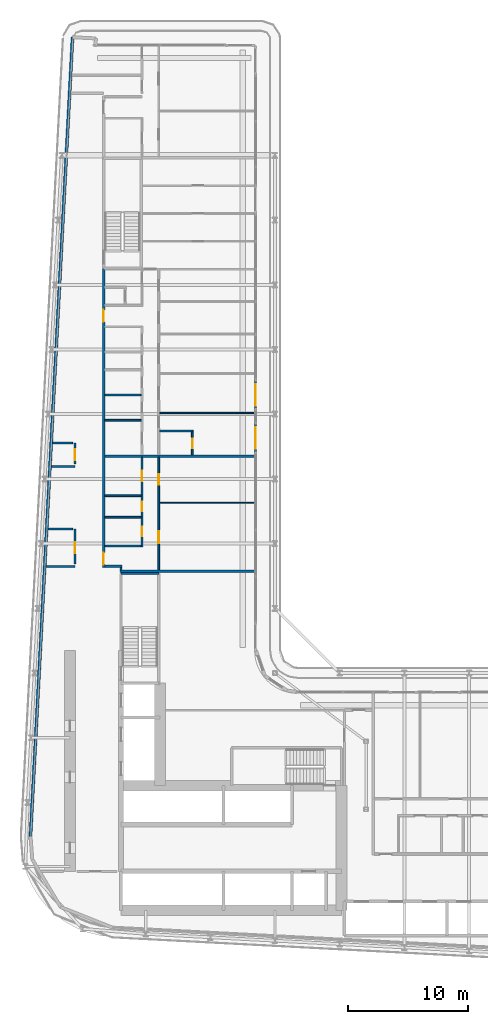
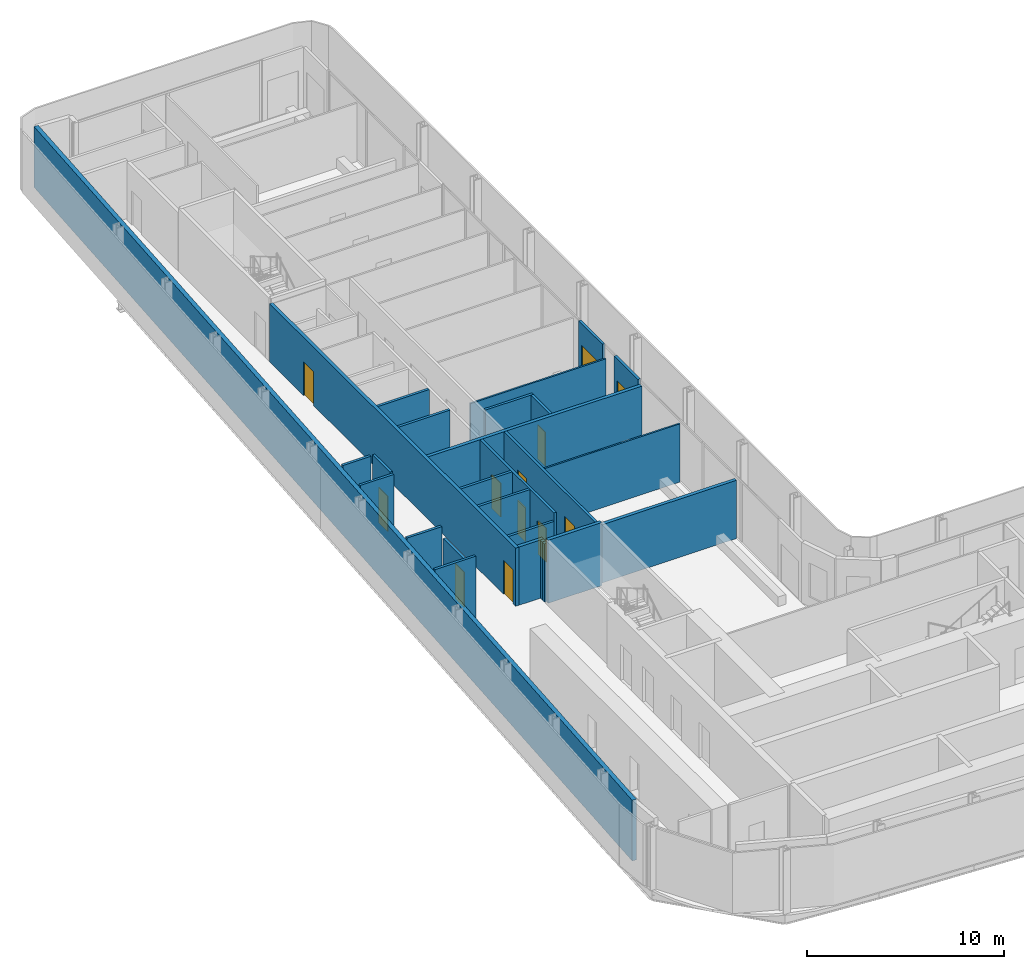
# One storey, part 17 of 28: 26 walls, 12 doors, 12 openings.
"""IFC4 building model written with IfcOpenShell, lengths in metres."""

from ifc_helpers import new_model, si_unit, direction, frame, frame_2d, origin, place, context, subcontext, project, spatial, rectangle, extrude, source, transform, mapped, material, layer, layer_set, type_object, element, fill, save


model = new_model("IFC4")

# Units and contexts
model_context = context("Model", 3, precision=1e-05, world=origin(), true_north=direction((0.0, 1.0)))
body_context = subcontext(model_context, "Body", "Model", "MODEL_VIEW")
ifc_project = project(units=[si_unit("LENGTHUNIT", "METRE"), si_unit("AREAUNIT", "SQUARE_METRE"), si_unit("VOLUMEUNIT", "CUBIC_METRE"), si_unit("PLANEANGLEUNIT", "RADIAN"), si_unit("MASSUNIT", "GRAM", prefix="KILO")], contexts=[model_context])

# Site, building, storey
site_placement = place(None, origin())
site = spatial("IfcSite", under=ifc_project, at=site_placement, CompositionType="ELEMENT")
building_placement = place(site_placement, origin())
building = spatial("IfcBuilding", under=site, at=building_placement, Name="Kheshtan School and Residences Tower", CompositionType="ELEMENT")
storey_placement = place(building_placement, frame((0.0, 0.0, 133.10009765625)))
storey = spatial("IfcBuildingStorey", under=building, at=storey_placement, Name="L31", CompositionType="ELEMENT", Elevation=133.10009765625)

# Wall, openings, doors
ifc_material_1 = material(Name="Gypsum board on steel studs with fire boards", Category="steel")
ifc_layer_1 = layer(ifc_material_1, 0.199951171875)
ifc_layer_set_1 = layer_set([ifc_layer_1], Name="Corridor wall 200")
wall_type_1 = type_object("IfcWallType", Name="Corridor wall 200", PredefinedType="PARTITIONING", material=ifc_layer_set_1)
wall_1_placement = place(storey_placement, frame((33.300048828125, 54.39990234375, 0.0), z_axis=(0.0, 0.0, 1.0), x_axis=(0.0, 1.0, 0.0)))
wall_1 = element("IfcWall", 1, at=wall_1_placement, inside=storey, type_object=wall_type_1, Name="Partition L31-003", PredefinedType="PARTITIONING", context=body_context, shape_type="SweptSolid", body=[
    extrude(rectangle(XDim=24.9501953125, YDim=0.199951171875, at=frame_2d((12.47509765625, 0.0))), origin(), (0.0, 0.0, 1.0), 3.599853515625),
])
opening_1_placement = place(wall_1_placement, frame((0.25, 0.0, 0.0)))
opening_1 = element("IfcOpeningElement", 2, at=opening_1_placement, cuts=wall_1, Name="Opening D29-035", PredefinedType="OPENING", context=body_context, shape_type="SweptSolid", body=[
    extrude(rectangle(XDim=1.0, YDim=2.10009765625, at=frame_2d((0.5, 1.050048828125))), frame((0.0, 0.10986328125, 0.0), z_axis=(0.0, -1.0, 0.0), x_axis=(1.0, 0.0, 0.0)), (0.0, 0.0, 1.0), 0.219970703125),
])
opening_2_placement = place(wall_1_placement, frame((20.5, 0.0, 0.0)))
opening_2 = element("IfcOpeningElement", 3, at=opening_2_placement, cuts=wall_1, Name="Opening D29-045", PredefinedType="OPENING", context=body_context, shape_type="SweptSolid", body=[
    extrude(rectangle(XDim=1.0, YDim=2.10009765625, at=frame_2d((0.5, 1.050048828125))), frame((0.0, 0.10986328125, 0.0), z_axis=(0.0, -1.0, 0.0), x_axis=(1.0, 0.0, 0.0)), (0.0, 0.0, 1.0), 0.219970703125),
])
ifc_material_2 = material(Name="Steel-framed fire-resisting door leaf", Category="steel")
door_type_1 = type_object("IfcDoorType", Name="Fire door FD30S 1000 x 2100", OperationType="SINGLE_SWING_LEFT", PredefinedType="DOOR", material=ifc_material_2)
shared_shape_1 = source(origin(), body_context, "Body", "SweptSolid", [
    extrude(rectangle(XDim=1.0, YDim=2.10009765625, at=frame_2d((0.5, 1.050048828125))), frame((0.0, 0.02490234375, 0.0), z_axis=(0.0, -1.0, 0.0), x_axis=(1.0, 0.0, 0.0)), (0.0, 0.0, 1.0), 0.050048828125),
])
door_1_placement = place(opening_1_placement, origin())
door_1 = element("IfcDoor", 4, at=door_1_placement, inside=storey, type_object=door_type_1, Name="Door D29-035", OperationType="SINGLE_SWING_RIGHT", OverallHeight=2.10009765625, OverallWidth=1.0, PredefinedType="DOOR", context=body_context, shape_type="MappedRepresentation", body=[
    mapped(shared_shape_1, transform((0.0, 0.0, 0.0), x_axis=(1.0, 0.0, 0.0), y_axis=(0.0, 1.0, 0.0), z_axis=(0.0, 0.0, 1.0), scale=1.0)),
])
fill(opening_1, door_1)
door_2_placement = place(opening_2_placement, origin())
door_2 = element("IfcDoor", 5, at=door_2_placement, inside=storey, type_object=door_type_1, Name="Door D29-045", OperationType="SINGLE_SWING_RIGHT", OverallHeight=2.10009765625, OverallWidth=1.0, PredefinedType="DOOR", context=body_context, shape_type="MappedRepresentation", body=[
    mapped(shared_shape_1, transform((0.0, 0.0, 0.0), x_axis=(1.0, 0.0, 0.0), y_axis=(0.0, 1.0, 0.0), z_axis=(0.0, 0.0, 1.0), scale=1.0)),
])
fill(opening_2, door_2)

# Walls
wall_2_placement = place(storey_placement, frame((33.39990234375, 54.5, 0.0), z_axis=(0.0, 0.0, 1.0), x_axis=(1.0, 0.0, 0.0)))
element("IfcWall", 6, at=wall_2_placement, inside=storey, type_object=wall_type_1, Name="Partition L31-005", PredefinedType="PARTITIONING", context=body_context, shape_type="SweptSolid", body=[
    extrude(rectangle(XDim=1.4501953125, YDim=0.199951171875, at=frame_2d((0.72509765625, 0.0))), origin(), (0.0, 0.0, 1.0), 3.599853515625),
])
wall_3_placement = place(storey_placement, frame((34.75, 54.199951171875, 0.0), z_axis=(0.0, 0.0, 1.0), x_axis=(0.0, 1.0, 0.0)))
element("IfcWall", 7, at=wall_3_placement, inside=storey, type_object=wall_type_1, Name="Partition L31-021", PredefinedType="PARTITIONING", context=body_context, shape_type="SweptSolid", body=[
    extrude(rectangle(XDim=0.199951171875, YDim=0.199951171875, at=frame_2d((0.10009765625, 0.0))), origin(), (0.0, 0.0, 1.0), 3.599853515625),
])
ifc_material_3 = material(Name="Concrete C40/50 with ceramic cladding and mineral wool insulation", Category="concrete")
ifc_layer_2 = layer(ifc_material_3, 0.25)
ifc_layer_set_2 = layer_set([ifc_layer_2], Name="External wall 250 ceramic clad")
wall_type_2 = type_object("IfcWallType", Name="External wall 250 ceramic clad", PredefinedType="SOLIDWALL", material=ifc_layer_set_2)
wall_4_placement = place(storey_placement, frame((27.195068359375, 31.968994140625, 0.0), z_axis=(0.0, 0.0, 1.0), x_axis=(0.052554995867, 0.998618031286, 0.0)))
element("IfcWall", 8, at=wall_4_placement, inside=storey, type_object=wall_type_2, Name="External wall L31 4", PredefinedType="SOLIDWALL", context=body_context, shape_type="SweptSolid", body=[
    extrude(rectangle(XDim=66.787353515625, YDim=0.25, at=frame_2d((33.3935546875, 0.0))), origin(), (0.0, 0.0, 1.0), 3.75),
])

# Wall, opening, door
ifc_material_4 = material(Name="Aluminium frame wall with insulated infill", Category="aluminium")
ifc_layer_3 = layer(ifc_material_4, 0.14990234375)
ifc_layer_set_3 = layer_set([ifc_layer_3], Name="Glazing frame wall 150")
wall_type_3 = type_object("IfcWallType", Name="Glazing frame wall 150", PredefinedType="SOLIDWALL", material=ifc_layer_set_3)
wall_5_placement = place(storey_placement, frame((45.97509765625, 70.01806640625, 0.0), z_axis=(0.0, 0.0, 1.0), x_axis=(0.0, -1.0, 0.0)))
wall_5 = element("IfcWall", 9, at=wall_5_placement, inside=storey, type_object=wall_type_3, Name="Balcony door wall L31 8.3", PredefinedType="SOLIDWALL", context=body_context, shape_type="SweptSolid", body=[
    extrude(rectangle(XDim=2.400146484375, YDim=0.14990234375, at=frame_2d((1.2001953125, 0.0))), origin(), (0.0, 0.0, 1.0), 3.75),
])
opening_3_placement = place(wall_5_placement, frame((0.300048828125, 0.0, 0.0)))
opening_3 = element("IfcOpeningElement", 10, at=opening_3_placement, cuts=wall_5, Name="Opening BD", PredefinedType="OPENING", context=body_context, shape_type="SweptSolid", body=[
    extrude(rectangle(XDim=1.800048828125, YDim=2.39990234375, at=frame_2d((0.89990234375, 1.199951171875))), frame((0.0, 0.0849609375, 0.0), z_axis=(0.0, -1.0, 0.0), x_axis=(1.0, 0.0, 0.0)), (0.0, 0.0, 1.0), 0.169921875),
])
ifc_material_5 = material(Name="Clear low-e glass in thermally broken aluminium frame", Category="aluminium")
door_type_2 = type_object("IfcDoorType", Name="Balcony sliding door", OperationType="SLIDING_TO_LEFT", PredefinedType="DOOR", material=ifc_material_5)
shared_shape_2 = source(origin(), body_context, "Body", "SweptSolid", [
    extrude(rectangle(XDim=1.800048828125, YDim=2.39990234375, at=frame_2d((0.89990234375, 1.199951171875))), frame((0.0, 0.02490234375, 0.0), z_axis=(0.0, -1.0, 0.0), x_axis=(1.0, 0.0, 0.0)), (0.0, 0.0, 1.0), 0.050048828125),
])
door_3_placement = place(opening_3_placement, origin())
door_3 = element("IfcDoor", 11, at=door_3_placement, inside=storey, type_object=door_type_2, Name="Balcony door L31 8.3", OperationType="SLIDING_TO_LEFT", OverallHeight=2.39990234375, OverallWidth=1.800048828125, PredefinedType="DOOR", context=body_context, shape_type="MappedRepresentation", body=[
    mapped(shared_shape_2, transform((0.0, 0.0, 0.0), x_axis=(1.0, 0.0, 0.0), y_axis=(0.0, 1.0, 0.0), z_axis=(0.0, 0.0, 1.0), scale=1.0)),
])
fill(opening_3, door_3)

wall_6_placement = place(storey_placement, frame((45.97509765625, 66.41796875, 0.0), z_axis=(0.0, 0.0, 1.0), x_axis=(0.0, -1.0, 0.0)))
wall_6 = element("IfcWall", 12, at=wall_6_placement, inside=storey, type_object=wall_type_3, Name="Balcony door wall L31 8.4", PredefinedType="SOLIDWALL", context=body_context, shape_type="SweptSolid", body=[
    extrude(rectangle(XDim=2.39990234375, YDim=0.14990234375, at=frame_2d((1.199951171875, 0.0))), origin(), (0.0, 0.0, 1.0), 3.75),
])
opening_4_placement = place(wall_6_placement, frame((0.300048828125, 0.0, 0.0)))
opening_4 = element("IfcOpeningElement", 13, at=opening_4_placement, cuts=wall_6, Name="Opening BD", PredefinedType="OPENING", context=body_context, shape_type="SweptSolid", body=[
    extrude(rectangle(XDim=1.800048828125, YDim=2.39990234375, at=frame_2d((0.89990234375, 1.199951171875))), frame((0.0, 0.0849609375, 0.0), z_axis=(0.0, -1.0, 0.0), x_axis=(1.0, 0.0, 0.0)), (0.0, 0.0, 1.0), 0.169921875),
])
door_4_placement = place(opening_4_placement, origin())
door_4 = element("IfcDoor", 14, at=door_4_placement, inside=storey, type_object=door_type_2, Name="Balcony door L31 8.4", OperationType="SLIDING_TO_LEFT", OverallHeight=2.39990234375, OverallWidth=1.800048828125, PredefinedType="DOOR", context=body_context, shape_type="MappedRepresentation", body=[
    mapped(shared_shape_2, transform((0.0, 0.0, 0.0), x_axis=(1.0, 0.0, 0.0), y_axis=(0.0, 1.0, 0.0), z_axis=(0.0, 0.0, 1.0), scale=1.0)),
])
fill(opening_4, door_4)

# Walls
ifc_material_6 = material(Name="Gypsum board on steel studs", Category="steel")
ifc_layer_4 = layer(ifc_material_6, 0.10009765625)
ifc_layer_set_4 = layer_set([ifc_layer_4], Name="Gypsum partition 100")
wall_type_4 = type_object("IfcWallType", Name="Gypsum partition 100", PredefinedType="PARTITIONING", material=ifc_layer_set_4)
wall_7_placement = place(storey_placement, frame((37.97509765625, 59.800048828125, 0.0), z_axis=(0.0, 0.0, 1.0), x_axis=(1.0, 0.0, 0.0)))
element("IfcWall", 15, at=wall_7_placement, inside=storey, type_object=wall_type_4, Name="Partition L31-036", PredefinedType="PARTITIONING", context=body_context, shape_type="SweptSolid", body=[
    extrude(rectangle(XDim=7.9248046875, YDim=0.10009765625, at=frame_2d((3.96240234375, 0.0))), origin(), (0.0, 0.0, 1.0), 3.599853515625),
])
wall_8_placement = place(storey_placement, frame((37.97509765625, 67.300048828125, 0.0), z_axis=(0.0, 0.0, 1.0), x_axis=(1.0, 0.0, 0.0)))
element("IfcWall", 16, at=wall_8_placement, inside=storey, type_object=wall_type_4, Name="Partition L31-038", PredefinedType="PARTITIONING", context=body_context, shape_type="SweptSolid", body=[
    extrude(rectangle(XDim=7.9248046875, YDim=0.10009765625, at=frame_2d((3.96240234375, 0.0))), origin(), (0.0, 0.0, 1.0), 3.072021484375),
])
ifc_material_7 = material(Name="Fire-board shaft wall system")
ifc_layer_5 = layer(ifc_material_7, 0.14990234375)
ifc_layer_set_5 = layer_set([ifc_layer_5], Name="Service room wall 150")
wall_type_5 = type_object("IfcWallType", Name="Service room wall 150", PredefinedType="PARTITIONING", material=ifc_layer_set_5)
wall_9_placement = place(storey_placement, frame((28.508056640625, 54.5, 0.0), z_axis=(0.0, 0.0, 1.0), x_axis=(1.0, 0.0, 0.0)))
element("IfcWall", 17, at=wall_9_placement, inside=storey, type_object=wall_type_5, Name="Service room wall", PredefinedType="PARTITIONING", context=body_context, shape_type="SweptSolid", body=[
    extrude(rectangle(XDim=2.391845703125, YDim=0.14990234375, at=frame_2d((1.19580078125, 0.0))), origin(), (0.0, 0.0, 1.0), 3.89990234375),
])

# Wall, opening, door
wall_10_placement = place(storey_placement, frame((30.89990234375, 54.695068359375, 0.0), z_axis=(0.0, 0.0, 1.0), x_axis=(0.0, 1.0, 0.0)))
wall_10 = element("IfcWall", 18, at=wall_10_placement, inside=storey, type_object=wall_type_5, Name="Service room wall", PredefinedType="PARTITIONING", context=body_context, shape_type="SweptSolid", body=[
    extrude(rectangle(XDim=2.930908203125, YDim=0.14990234375, at=frame_2d((1.46533203125, 0.0))), origin(), (0.0, 0.0, 1.0), 3.072021484375),
])
opening_5_placement = place(wall_10_placement, frame((0.91796875, 0.0, 0.0)))
opening_5 = element("IfcOpeningElement", 19, at=opening_5_placement, cuts=wall_10, Name="Opening SR90", PredefinedType="OPENING", context=body_context, shape_type="SweptSolid", body=[
    extrude(rectangle(XDim=0.89990234375, YDim=2.199951171875, at=frame_2d((0.449951171875, 1.10009765625))), frame((0.0, 0.0849609375, 0.0), z_axis=(0.0, -1.0, 0.0), x_axis=(1.0, 0.0, 0.0)), (0.0, 0.0, 1.0), 0.169921875),
])
ifc_material_8 = material(Name="Steel door leaf, galvanised", Category="steel")
door_type_3 = type_object("IfcDoorType", Name="Service room door 900 steel 90 min", OperationType="SINGLE_SWING_LEFT", PredefinedType="DOOR", material=ifc_material_8)
shared_shape_3 = source(origin(), body_context, "Body", "SweptSolid", [
    extrude(rectangle(XDim=0.89990234375, YDim=2.199951171875, at=frame_2d((0.449951171875, 1.10009765625))), frame((0.0, 0.02490234375, 0.0), z_axis=(0.0, -1.0, 0.0), x_axis=(1.0, 0.0, 0.0)), (0.0, 0.0, 1.0), 0.050048828125),
])
door_5_placement = place(opening_5_placement, origin())
door_5 = element("IfcDoor", 20, at=door_5_placement, inside=storey, type_object=door_type_3, Name="Service room door", OperationType="SINGLE_SWING_LEFT", OverallHeight=2.199951171875, OverallWidth=0.89990234375, PredefinedType="DOOR", context=body_context, shape_type="MappedRepresentation", body=[
    mapped(shared_shape_3, transform((0.0, 0.0, 0.0), x_axis=(1.0, 0.0, 0.0), y_axis=(0.0, 1.0, 0.0), z_axis=(0.0, 0.0, 1.0), scale=1.0)),
])
fill(opening_5, door_5)

# Walls
wall_11_placement = place(storey_placement, frame((28.673095703125, 57.6259765625, 0.0), z_axis=(0.0, 0.0, 1.0), x_axis=(1.0, 0.0, 0.0)))
element("IfcWall", 21, at=wall_11_placement, inside=storey, type_object=wall_type_5, Name="Service room wall", PredefinedType="PARTITIONING", context=body_context, shape_type="SweptSolid", body=[
    extrude(rectangle(XDim=2.031982421875, YDim=0.14990234375, at=frame_2d((1.01611328125, 0.0))), origin(), (0.0, 0.0, 1.0), 3.89990234375),
])
wall_12_placement = place(storey_placement, frame((28.947021484375, 62.8330078125, 0.0), z_axis=(0.0, 0.0, 1.0), x_axis=(1.0, 0.0, 0.0)))
element("IfcWall", 22, at=wall_12_placement, inside=storey, type_object=wall_type_5, Name="Service room wall", PredefinedType="PARTITIONING", context=body_context, shape_type="SweptSolid", body=[
    extrude(rectangle(XDim=1.952880859375, YDim=0.14990234375, at=frame_2d((0.9765625, 0.0))), origin(), (0.0, 0.0, 1.0), 3.89990234375),
])

# Wall, opening, door
wall_13_placement = place(storey_placement, frame((30.89990234375, 63.028076171875, 0.0), z_axis=(0.0, 0.0, 1.0), x_axis=(0.0, 1.0, 0.0)))
wall_13 = element("IfcWall", 23, at=wall_13_placement, inside=storey, type_object=wall_type_5, Name="Service room wall", PredefinedType="PARTITIONING", context=body_context, shape_type="SweptSolid", body=[
    extrude(rectangle(XDim=1.77197265625, YDim=0.14990234375, at=frame_2d((0.885986328125, 0.0))), origin(), (0.0, 0.0, 1.0), 3.89990234375),
])
opening_6_placement = place(wall_13_placement, frame((0.337890625, 0.0, 0.0)))
opening_6 = element("IfcOpeningElement", 24, at=opening_6_placement, cuts=wall_13, Name="Opening SR90", PredefinedType="OPENING", context=body_context, shape_type="SweptSolid", body=[
    extrude(rectangle(XDim=0.89990234375, YDim=2.199951171875, at=frame_2d((0.449951171875, 1.10009765625))), frame((0.0, 0.0849609375, 0.0), z_axis=(0.0, -1.0, 0.0), x_axis=(1.0, 0.0, 0.0)), (0.0, 0.0, 1.0), 0.169921875),
])
door_6_placement = place(opening_6_placement, origin())
door_6 = element("IfcDoor", 25, at=door_6_placement, inside=storey, type_object=door_type_3, Name="Service room door", OperationType="SINGLE_SWING_LEFT", OverallHeight=2.199951171875, OverallWidth=0.89990234375, PredefinedType="DOOR", context=body_context, shape_type="MappedRepresentation", body=[
    mapped(shared_shape_3, transform((0.0, 0.0, 0.0), x_axis=(1.0, 0.0, 0.0), y_axis=(0.0, 1.0, 0.0), z_axis=(0.0, 0.0, 1.0), scale=1.0)),
])
fill(opening_6, door_6)

# Walls
wall_14_placement = place(storey_placement, frame((29.050048828125, 64.800048828125, 0.0), z_axis=(0.0, 0.0, 1.0), x_axis=(1.0, 0.0, 0.0)))
element("IfcWall", 26, at=wall_14_placement, inside=storey, type_object=wall_type_5, Name="Service room wall", PredefinedType="PARTITIONING", context=body_context, shape_type="SweptSolid", body=[
    extrude(rectangle(XDim=1.655029296875, YDim=0.14990234375, at=frame_2d((0.82763671875, 0.0))), origin(), (0.0, 0.0, 1.0), 3.89990234375),
])
ifc_material_9 = material(Name="Concrete C40/50", Category="concrete")
ifc_layer_6 = layer(ifc_material_9, 0.199951171875)
ifc_layer_set_6 = layer_set([ifc_layer_6], Name="Stair enclosure wall 200 Concrete C40/50")
wall_type_6 = type_object("IfcWallType", Name="Stair enclosure wall 200 Concrete C40/50", PredefinedType="SHEAR", material=ifc_layer_set_6)
wall_15_placement = place(storey_placement, frame((34.75, 53.909912109375, 0.0), z_axis=(0.0, 0.0, 1.0), x_axis=(1.0, 0.0, 0.0)))
element("IfcWall", 27, at=wall_15_placement, inside=storey, type_object=wall_type_6, Name="Stair enclosure wall ST2", PredefinedType="SHEAR", context=body_context, shape_type="SweptSolid", body=[
    extrude(rectangle(XDim=3.14990234375, YDim=0.199951171875, at=frame_2d((1.574951171875, 0.0))), origin(), (0.0, 0.0, 1.0), 3.89990234375),
])
ifc_material_10 = material(Name="Twin gypsum board on steel studs with mineral wool", Category="steel")
ifc_layer_7 = layer(ifc_material_10, 0.199951171875)
ifc_layer_set_7 = layer_set([ifc_layer_7], Name="Unit demising wall 200")
wall_type_7 = type_object("IfcWallType", Name="Unit demising wall 200", PredefinedType="PARTITIONING", material=ifc_layer_set_7)
wall_16_placement = place(storey_placement, frame((33.39990234375, 63.699951171875, 0.0), z_axis=(0.0, 0.0, 1.0), x_axis=(1.0, 0.0, 0.0)))
element("IfcWall", 28, at=wall_16_placement, inside=storey, type_object=wall_type_7, Name="Partition L31-009", PredefinedType="PARTITIONING", context=body_context, shape_type="SweptSolid", body=[
    extrude(rectangle(XDim=12.5, YDim=0.199951171875, at=frame_2d((6.25, 0.0))), origin(), (0.0, 0.0, 1.0), 3.599853515625),
])
wall_17_placement = place(storey_placement, frame((34.64990234375, 54.10009765625, 0.0), z_axis=(0.0, 0.0, 1.0), x_axis=(1.0, 0.0, 0.0)))
element("IfcWall", 29, at=wall_17_placement, inside=storey, type_object=wall_type_7, Name="Partition L31-020", PredefinedType="PARTITIONING", context=body_context, shape_type="SweptSolid", body=[
    extrude(rectangle(XDim=11.25, YDim=0.199951171875, at=frame_2d((5.625, 0.0))), origin(), (0.0, 0.0, 1.0), 3.599853515625),
])
ifc_material_11 = material(Name="Moisture-resistant gypsum board on steel studs", Category="steel")
ifc_layer_8 = layer(ifc_material_11, 0.14990234375)
ifc_layer_set_8 = layer_set([ifc_layer_8], Name="Wet-room partition 150")
wall_type_8 = type_object("IfcWallType", Name="Wet-room partition 150", PredefinedType="PARTITIONING", material=ifc_layer_set_8)
wall_18_placement = place(storey_placement, frame((33.39990234375, 56.199951171875, 0.0), z_axis=(0.0, 0.0, 1.0), x_axis=(1.0, 0.0, 0.0)))
element("IfcWall", 30, at=wall_18_placement, inside=storey, type_object=wall_type_8, Name="Partition L31-006", PredefinedType="PARTITIONING", context=body_context, shape_type="SweptSolid", body=[
    extrude(rectangle(XDim=3.025146484375, YDim=0.14990234375, at=frame_2d((1.5126953125, 0.0))), origin(), (0.0, 0.0, 1.0), 3.072021484375),
])
for number, where, z_axis, x_axis, name in (
    (31, (33.39990234375, 58.60009765625, 0.0), (0.0, 0.0, 1.0), (1.0, 0.0, 0.0), "Partition L31-007"),
    (32, (33.39990234375, 60.39990234375, 0.0), (0.0, 0.0, 1.0), (1.0, 0.0, 0.0), "Partition L31-008"),
    (33, (33.39990234375, 66.699951171875, 0.0), (0.0, 0.0, 1.0), (1.0, 0.0, 0.0), "Partition L31-010"),
    (34, (33.39990234375, 68.800048828125, 0.0), (0.0, 0.0, 1.0), (1.0, 0.0, 0.0), "Partition L31-011"),
):
    element("IfcWall", number, at=place(storey_placement, frame(where, z_axis=z_axis, x_axis=x_axis)), inside=storey, type_object=wall_type_8, Name=name, PredefinedType="PARTITIONING", context=body_context, shape_type="SweptSolid", body=[
        extrude(rectangle(XDim=3.025146484375, YDim=0.14990234375, at=frame_2d((1.5126953125, 0.0))), origin(), (0.0, 0.0, 1.0), 3.599853515625),
    ])

# Wall, openings, doors
wall_19_placement = place(storey_placement, frame((36.5, 56.125, 0.0), z_axis=(0.0, 0.0, 1.0), x_axis=(0.0, 1.0, 0.0)))
wall_19 = element("IfcWall", 35, at=wall_19_placement, inside=storey, type_object=wall_type_8, Name="Partition L31-024", PredefinedType="PARTITIONING", context=body_context, shape_type="SweptSolid", body=[
    extrude(rectangle(XDim=7.47509765625, YDim=0.14990234375, at=frame_2d((3.737548828125, 0.0))), origin(), (0.0, 0.0, 1.0), 3.599853515625),
])
opening_7_placement = place(wall_19_placement, frame((0.875, 0.0, 0.0)))
opening_7 = element("IfcOpeningElement", 36, at=opening_7_placement, cuts=wall_19, Name="Opening D29-033", PredefinedType="OPENING", context=body_context, shape_type="SweptSolid", body=[
    extrude(rectangle(XDim=0.800048828125, YDim=2.10009765625, at=frame_2d((0.39990234375, 1.050048828125))), frame((0.0, 0.0849609375, 0.0), z_axis=(0.0, -1.0, 0.0), x_axis=(1.0, 0.0, 0.0)), (0.0, 0.0, 1.0), 0.169921875),
])
opening_8_placement = place(wall_19_placement, frame((5.47509765625, 0.0, 0.0)))
opening_8 = element("IfcOpeningElement", 37, at=opening_8_placement, cuts=wall_19, Name="Opening D29-036", PredefinedType="OPENING", context=body_context, shape_type="SweptSolid", body=[
    extrude(rectangle(XDim=0.89990234375, YDim=2.10009765625, at=frame_2d((0.449951171875, 1.050048828125))), frame((0.0, 0.0849609375, 0.0), z_axis=(0.0, -1.0, 0.0), x_axis=(1.0, 0.0, 0.0)), (0.0, 0.0, 1.0), 0.169921875),
])
opening_9_placement = place(wall_19_placement, frame((2.97509765625, 0.0, 0.0)))
opening_9 = element("IfcOpeningElement", 38, at=opening_9_placement, cuts=wall_19, Name="Opening D29-038", PredefinedType="OPENING", context=body_context, shape_type="SweptSolid", body=[
    extrude(rectangle(XDim=0.800048828125, YDim=2.10009765625, at=frame_2d((0.39990234375, 1.050048828125))), frame((0.0, 0.0849609375, 0.0), z_axis=(0.0, -1.0, 0.0), x_axis=(1.0, 0.0, 0.0)), (0.0, 0.0, 1.0), 0.169921875),
])
ifc_material_12 = material(Name="Veneered timber door leaf", Category="wood")
door_type_4 = type_object("IfcDoorType", Name="Door 800 x 2100", OperationType="SINGLE_SWING_LEFT", PredefinedType="DOOR", material=ifc_material_12)
shared_shape_4 = source(origin(), body_context, "Body", "SweptSolid", [
    extrude(rectangle(XDim=0.800048828125, YDim=2.10009765625, at=frame_2d((0.39990234375, 1.050048828125))), frame((0.0, 0.02490234375, 0.0), z_axis=(0.0, -1.0, 0.0), x_axis=(1.0, 0.0, 0.0)), (0.0, 0.0, 1.0), 0.050048828125),
])
door_7_placement = place(opening_7_placement, origin())
door_7 = element("IfcDoor", 39, at=door_7_placement, inside=storey, type_object=door_type_4, Name="Door D29-033", OperationType="SINGLE_SWING_LEFT", OverallHeight=2.10009765625, OverallWidth=0.800048828125, PredefinedType="DOOR", context=body_context, shape_type="MappedRepresentation", body=[
    mapped(shared_shape_4, transform((0.0, 0.0, 0.0), x_axis=(1.0, 0.0, 0.0), y_axis=(0.0, 1.0, 0.0), z_axis=(0.0, 0.0, 1.0), scale=1.0)),
])
fill(opening_7, door_7)
door_8_placement = place(opening_9_placement, origin())
door_8 = element("IfcDoor", 40, at=door_8_placement, inside=storey, type_object=door_type_4, Name="Door D29-038", OperationType="SINGLE_SWING_RIGHT", OverallHeight=2.10009765625, OverallWidth=0.800048828125, PredefinedType="DOOR", context=body_context, shape_type="MappedRepresentation", body=[
    mapped(shared_shape_4, transform((0.0, 0.0, 0.0), x_axis=(1.0, 0.0, 0.0), y_axis=(0.0, 1.0, 0.0), z_axis=(0.0, 0.0, 1.0), scale=1.0)),
])
fill(opening_9, door_8)
door_type_5 = type_object("IfcDoorType", Name="Door 900 x 2100", OperationType="SINGLE_SWING_LEFT", PredefinedType="DOOR", material=ifc_material_12)
shared_shape_5 = source(origin(), body_context, "Body", "SweptSolid", [
    extrude(rectangle(XDim=0.89990234375, YDim=2.10009765625, at=frame_2d((0.449951171875, 1.050048828125))), frame((0.0, 0.02490234375, 0.0), z_axis=(0.0, -1.0, 0.0), x_axis=(1.0, 0.0, 0.0)), (0.0, 0.0, 1.0), 0.050048828125),
])
door_9_placement = place(opening_8_placement, origin())
door_9 = element("IfcDoor", 41, at=door_9_placement, inside=storey, type_object=door_type_5, Name="Door D29-036", OperationType="SINGLE_SWING_LEFT", OverallHeight=2.10009765625, OverallWidth=0.89990234375, PredefinedType="DOOR", context=body_context, shape_type="MappedRepresentation", body=[
    mapped(shared_shape_5, transform((0.0, 0.0, 0.0), x_axis=(1.0, 0.0, 0.0), y_axis=(0.0, 1.0, 0.0), z_axis=(0.0, 0.0, 1.0), scale=1.0)),
])
fill(opening_8, door_9)

wall_20_placement = place(storey_placement, frame((37.89990234375, 54.199951171875, 0.0), z_axis=(0.0, 0.0, 1.0), x_axis=(0.0, 1.0, 0.0)))
wall_20 = element("IfcWall", 42, at=wall_20_placement, inside=storey, type_object=wall_type_8, Name="Partition L31-032", PredefinedType="PARTITIONING", context=body_context, shape_type="SweptSolid", body=[
    extrude(rectangle(XDim=9.400146484375, YDim=0.14990234375, at=frame_2d((4.7001953125, 0.0))), origin(), (0.0, 0.0, 1.0), 3.599853515625),
])
opening_10_placement = place(wall_20_placement, frame((7.10009765625, 0.0, 0.0)))
opening_10 = element("IfcOpeningElement", 43, at=opening_10_placement, cuts=wall_20, Name="Opening D29-034", PredefinedType="OPENING", context=body_context, shape_type="SweptSolid", body=[
    extrude(rectangle(XDim=0.89990234375, YDim=2.10009765625, at=frame_2d((0.449951171875, 1.050048828125))), frame((0.0, 0.0849609375, 0.0), z_axis=(0.0, -1.0, 0.0), x_axis=(1.0, 0.0, 0.0)), (0.0, 0.0, 1.0), 0.169921875),
])
opening_11_placement = place(wall_20_placement, frame((2.25, 0.0, 0.0)))
opening_11 = element("IfcOpeningElement", 44, at=opening_11_placement, cuts=wall_20, Name="Opening D29-037", PredefinedType="OPENING", context=body_context, shape_type="SweptSolid", body=[
    extrude(rectangle(XDim=1.0, YDim=2.10009765625, at=frame_2d((0.5, 1.050048828125))), frame((0.0, 0.0849609375, 0.0), z_axis=(0.0, -1.0, 0.0), x_axis=(1.0, 0.0, 0.0)), (0.0, 0.0, 1.0), 0.169921875),
])
door_type_6 = type_object("IfcDoorType", Name="Door 1000 x 2100", OperationType="SINGLE_SWING_LEFT", PredefinedType="DOOR", material=ifc_material_12)
shared_shape_6 = source(origin(), body_context, "Body", "SweptSolid", [
    extrude(rectangle(XDim=1.0, YDim=2.10009765625, at=frame_2d((0.5, 1.050048828125))), frame((0.0, 0.02490234375, 0.0), z_axis=(0.0, -1.0, 0.0), x_axis=(1.0, 0.0, 0.0)), (0.0, 0.0, 1.0), 0.050048828125),
])
door_10_placement = place(opening_11_placement, origin())
door_10 = element("IfcDoor", 45, at=door_10_placement, inside=storey, type_object=door_type_6, Name="Door D29-037", OperationType="SINGLE_SWING_RIGHT", OverallHeight=2.10009765625, OverallWidth=1.0, PredefinedType="DOOR", context=body_context, shape_type="MappedRepresentation", body=[
    mapped(shared_shape_6, transform((0.0, 0.0, 0.0), x_axis=(1.0, 0.0, 0.0), y_axis=(0.0, 1.0, 0.0), z_axis=(0.0, 0.0, 1.0), scale=1.0)),
])
fill(opening_11, door_10)
door_11_placement = place(opening_10_placement, origin())
door_11 = element("IfcDoor", 46, at=door_11_placement, inside=storey, type_object=door_type_5, Name="Door D29-034", OperationType="SINGLE_SWING_RIGHT", OverallHeight=2.10009765625, OverallWidth=0.89990234375, PredefinedType="DOOR", context=body_context, shape_type="MappedRepresentation", body=[
    mapped(shared_shape_5, transform((0.0, 0.0, 0.0), x_axis=(1.0, 0.0, 0.0), y_axis=(0.0, 1.0, 0.0), z_axis=(0.0, 0.0, 1.0), scale=1.0)),
])
fill(opening_10, door_11)

# Wall
wall_21_placement = place(storey_placement, frame((37.97509765625, 65.800048828125, 0.0), z_axis=(0.0, 0.0, 1.0), x_axis=(1.0, 0.0, 0.0)))
element("IfcWall", 47, at=wall_21_placement, inside=storey, type_object=wall_type_8, Name="Partition L31-037", PredefinedType="PARTITIONING", context=body_context, shape_type="SweptSolid", body=[
    extrude(rectangle(XDim=2.7998046875, YDim=0.14990234375, at=frame_2d((1.39990234375, 0.0))), origin(), (0.0, 0.0, 1.0), 3.599853515625),
])

# Wall, opening, door
wall_22_placement = place(storey_placement, frame((40.699951171875, 63.800048828125, 0.0), z_axis=(0.0, 0.0, 1.0), x_axis=(0.0, 1.0, 0.0)))
wall_22 = element("IfcWall", 48, at=wall_22_placement, inside=storey, type_object=wall_type_8, Name="Partition L31-043", PredefinedType="PARTITIONING", context=body_context, shape_type="SweptSolid", body=[
    extrude(rectangle(XDim=1.925048828125, YDim=0.14990234375, at=frame_2d((0.96240234375, 0.0))), origin(), (0.0, 0.0, 1.0), 3.599853515625),
])
opening_12_placement = place(wall_22_placement, frame((0.550048828125, 0.0, 0.0)))
opening_12 = element("IfcOpeningElement", 49, at=opening_12_placement, cuts=wall_22, Name="Opening D29-044", PredefinedType="OPENING", context=body_context, shape_type="SweptSolid", body=[
    extrude(rectangle(XDim=0.800048828125, YDim=2.10009765625, at=frame_2d((0.39990234375, 1.050048828125))), frame((0.0, 0.0849609375, 0.0), z_axis=(0.0, -1.0, 0.0), x_axis=(1.0, 0.0, 0.0)), (0.0, 0.0, 1.0), 0.169921875),
])
door_12_placement = place(opening_12_placement, origin())
door_12 = element("IfcDoor", 50, at=door_12_placement, inside=storey, type_object=door_type_4, Name="Door D29-044", OperationType="SINGLE_SWING_RIGHT", OverallHeight=2.10009765625, OverallWidth=0.800048828125, PredefinedType="DOOR", context=body_context, shape_type="MappedRepresentation", body=[
    mapped(shared_shape_4, transform((0.0, 0.0, 0.0), x_axis=(1.0, 0.0, 0.0), y_axis=(0.0, 1.0, 0.0), z_axis=(0.0, 0.0, 1.0), scale=1.0)),
])
fill(opening_12, door_12)

save(model, "model.ifc")
